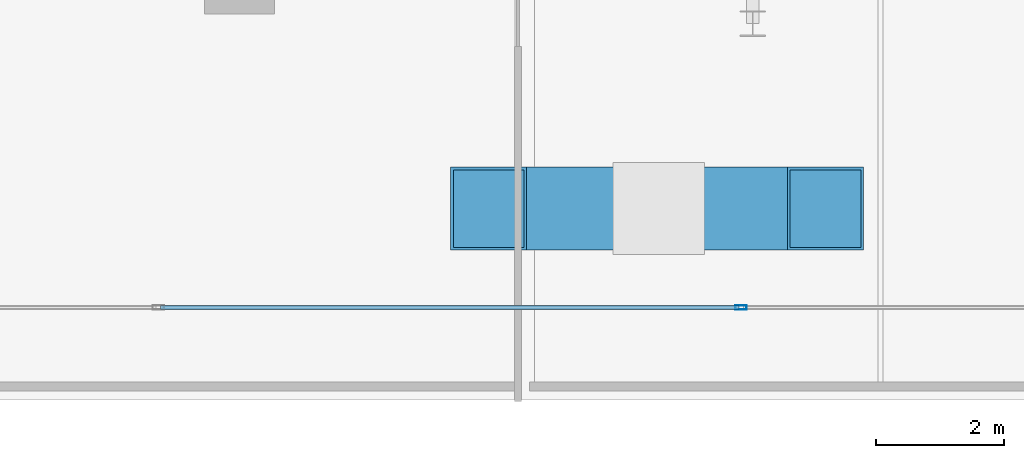
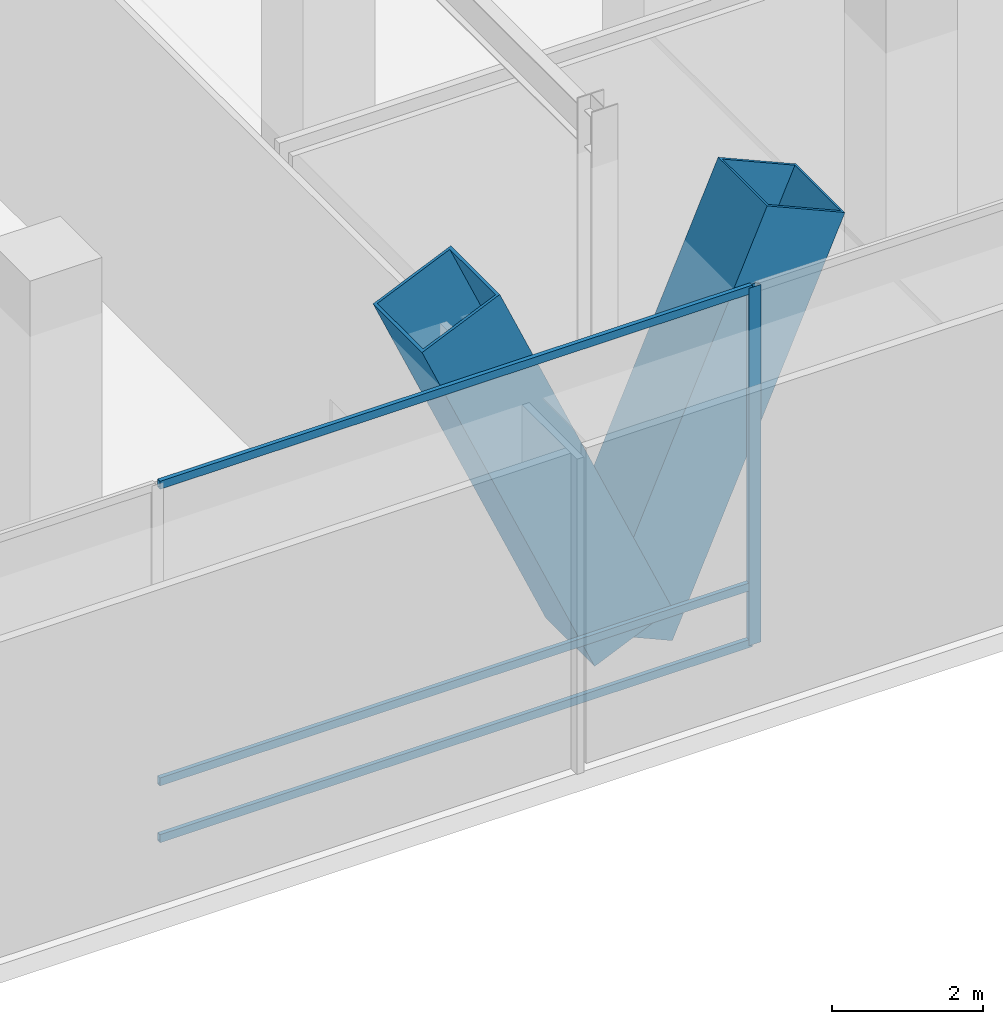
# One storey, part 13 of 40: 6 members, 1 element without a shape of its own.
"""IFC4 building model written with IfcOpenShell, lengths in metres."""

from ifc_helpers import new_model, si_unit, direction, frame, origin, origin_2d, place, context, subcontext, project, spatial, hollow_rectangle, extrude, material, layer, layer_set, material_profile, profile_set, type_object, element, aggregate, save


model = new_model("IFC4")

# Units and contexts
model_context = context("Model", 3, precision=1e-05, world=origin(), true_north=direction((0.0, 1.0)))
body_context = subcontext(model_context, "Body", "Model", "MODEL_VIEW")
ifc_project = project(units=[si_unit("LENGTHUNIT", "METRE"), si_unit("AREAUNIT", "SQUARE_METRE"), si_unit("VOLUMEUNIT", "CUBIC_METRE"), si_unit("PLANEANGLEUNIT", "RADIAN"), si_unit("MASSUNIT", "GRAM", prefix="KILO")], contexts=[model_context])

# Site, building, storey
site_placement = place(None, origin())
site = spatial("IfcSite", under=ifc_project, at=site_placement, CompositionType="ELEMENT")
building_placement = place(site_placement, origin())
building = spatial("IfcBuilding", under=site, at=building_placement, Name="Qianvela Tower", CompositionType="ELEMENT")
storey_placement = place(building_placement, origin())
storey = spatial("IfcBuildingStorey", under=building, at=storey_placement, Name="L00", CompositionType="ELEMENT", Elevation=0.0)

# Curtain wall, members
ifc_material_1 = material(Name="Anodised Architectural Aluminium and Low-E Glass", Category="aluminium")
ifc_layer = layer(ifc_material_1, 0.199951171875)
ifc_layer_set = layer_set([ifc_layer], Name="Anodised Architectural Aluminium and Low-E Glass")
curtain_wall_type = type_object("IfcCurtainWallType", Name="CW-CONCOURSE", PredefinedType="USERDEFINED", material=ifc_layer_set)
curtain_wall_placement = place(storey_placement, origin())
curtain_wall = element("IfcCurtainWall", 1, at=curtain_wall_placement, inside=storey, type_object=curtain_wall_type, Name="L00 CW-CONCOURSE Curtain Wall 01B", ObjectType="CURTAIN_WALL_SYSTEM", PredefinedType="USERDEFINED")
ifc_material_2 = material(Name="Anodised Architectural Aluminium 6063-T6", Category="aluminium")
ifc_material_profile_1 = material_profile(ifc_material_2, hollow_rectangle(XDim=0.070068359375, YDim=0.179931640625, WallThickness=0.0048828125, at=origin_2d()), Name="ALU-MULL-70x180")
ifc_profile_set_1 = profile_set([ifc_material_profile_1], Name="Anodised Architectural Aluminium 6063-T6")
member_type_1 = type_object("IfcMemberType", Name="CW-CONCOURSE-MULL", PredefinedType="MULLION", material=ifc_profile_set_1)
member_1_placement = place(storey_placement, frame((59.816650390625, 2.949951171875, 0.0), z_axis=(0.0, 0.0, 1.0), x_axis=(0.0, 1.0, 0.0)))
member_1 = element("IfcMember", 2, at=member_1_placement, type_object=member_type_1, Name="CW-1 mullion 3", PredefinedType="MULLION", context=body_context, shape_type="SweptSolid", body=[
    extrude(hollow_rectangle(XDim=0.070068359375, YDim=0.179931640625, WallThickness=0.0048828125, at=origin_2d()), origin(), (0.0, 0.0, 1.0), 5.780029296875),
])
ifc_material_3 = material(Name="Anodised Architectural Aluminium 6063-T6", Category="aluminium")
ifc_material_profile_2 = material_profile(ifc_material_3, hollow_rectangle(XDim=0.06494140625, YDim=0.1298828125, WallThickness=0.00439453125, at=origin_2d()), Name="ALU-TRAN-65x130")
ifc_profile_set_2 = profile_set([ifc_material_profile_2], Name="Anodised Architectural Aluminium 6063-T6")
member_type_2 = type_object("IfcMemberType", Name="CW-CONCOURSE-TRAN", PredefinedType="USERDEFINED", material=ifc_profile_set_2)
member_2_placement = place(storey_placement, frame((50.71826171875, 2.949951171875, 0.032470703125), z_axis=(1.0, 0.0, 0.0), x_axis=(0.0, 1.0, 0.0)))
member_2 = element("IfcMember", 3, at=member_2_placement, type_object=member_type_2, Name="CW-1 transom 2.1", ObjectType="TRANSOM", PredefinedType="USERDEFINED", context=body_context, shape_type="SweptSolid", body=[
    extrude(hollow_rectangle(XDim=0.06494140625, YDim=0.1298828125, WallThickness=0.00439453125, at=origin_2d()), origin(), (0.0, 0.0, 1.0), 9.0634765625),
])
member_3_placement = place(storey_placement, frame((50.71826171875, 2.949951171875, 0.949951171875), z_axis=(1.0, 0.0, 0.0), x_axis=(0.0, 1.0, 0.0)))
member_3 = element("IfcMember", 4, at=member_3_placement, type_object=member_type_2, Name="CW-1 transom 2.2", ObjectType="TRANSOM", PredefinedType="USERDEFINED", context=body_context, shape_type="SweptSolid", body=[
    extrude(hollow_rectangle(XDim=0.06494140625, YDim=0.1298828125, WallThickness=0.00439453125, at=origin_2d()), origin(), (0.0, 0.0, 1.0), 9.0634765625),
])
member_4_placement = place(storey_placement, frame((50.71826171875, 2.949951171875, 5.74755859375), z_axis=(1.0, 0.0, 0.0), x_axis=(0.0, 1.0, 0.0)))
member_4 = element("IfcMember", 5, at=member_4_placement, type_object=member_type_2, Name="CW-1 transom 2.3", ObjectType="TRANSOM", PredefinedType="USERDEFINED", context=body_context, shape_type="SweptSolid", body=[
    extrude(hollow_rectangle(XDim=0.06494140625, YDim=0.1298828125, WallThickness=0.00439453125, at=origin_2d()), origin(), (0.0, 0.0, 1.0), 9.0634765625),
])
aggregate(curtain_wall, [member_1, member_2, member_3, member_4])

# Members
ifc_material_4 = material(Name="Steel Q420GJC", Category="steel")
ifc_material_profile_3 = material_profile(ifc_material_4, hollow_rectangle(XDim=1.300048828125, YDim=1.300048828125, WallThickness=0.044921875, at=origin_2d()), Name="VBOX-1300x1300x45")
ifc_profile_set_3 = profile_set([ifc_material_profile_3], Name="Steel Q420GJC")
member_type_3 = type_object("IfcMemberType", Name="MBR-VCOL-1300", PredefinedType="POST", material=ifc_profile_set_3)
for number, where, z_axis, x_axis, name in (
    (6, (58.5, 4.5, 0.0), (-0.402662474024, 0.0, 0.91534853035), (0.0, -1.0, 0.0), "L00 Concourse Inclined V-Column VC-S3 Leg L"),
    (7, (58.5, 4.5, 0.0), (0.402662474024, 0.0, 0.91534853035), (0.0, 1.0, 0.0), "L00 Concourse Inclined V-Column VC-S3 Leg R"),
):
    element("IfcMember", number, at=place(storey_placement, frame(where, z_axis=z_axis, x_axis=x_axis)), inside=storey, type_object=member_type_3, Name=name, PredefinedType="POST", context=body_context, shape_type="SweptSolid", body=[
        extrude(hollow_rectangle(XDim=1.300048828125, YDim=1.300048828125, WallThickness=0.044921875, at=origin_2d()), origin(), (0.0, 0.0, 1.0), 6.554931640625),
    ])

save(model, "model.ifc")
